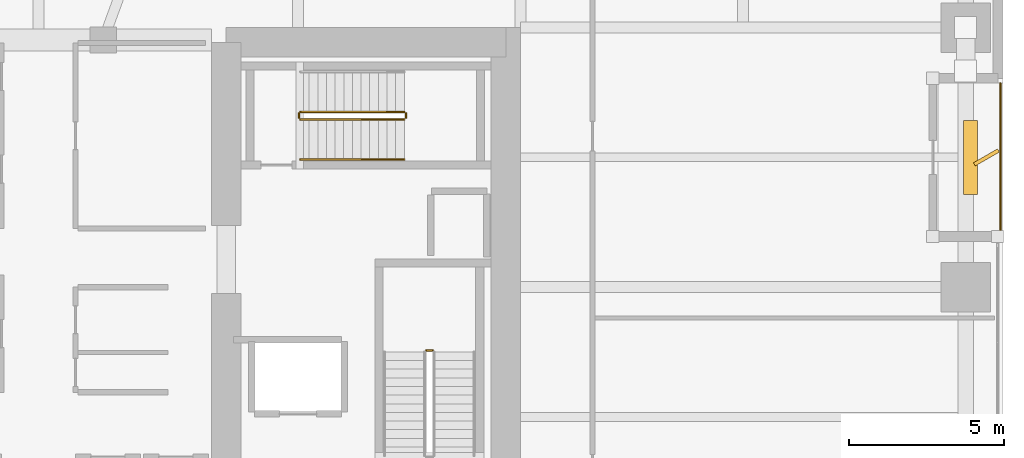
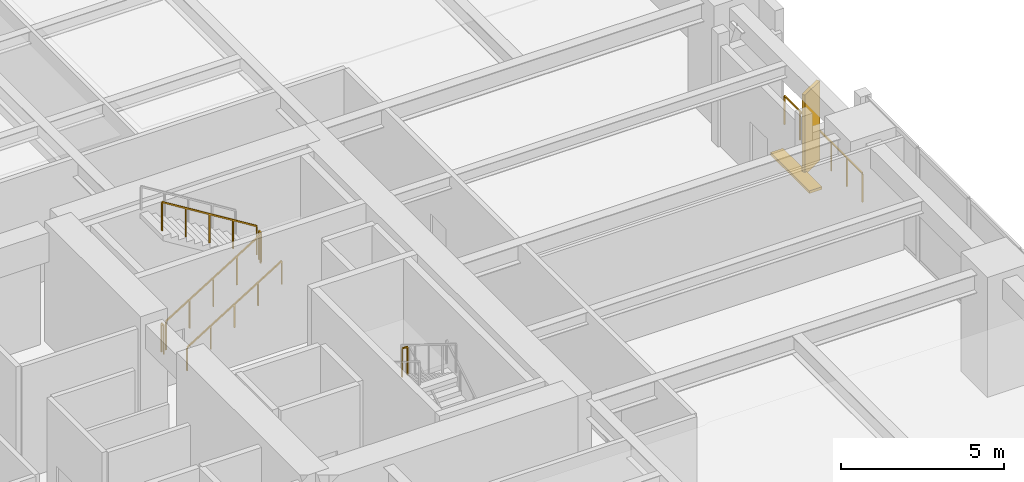
# One storey, part 24 of 25: 7 railings, 2 shading devices.
"""IFC4 building model written with IfcOpenShell, lengths in metres."""

from ifc_helpers import new_model, si_unit, direction, frame, origin, origin_2d, place, context, subcontext, project, spatial, rectangle, extrude, material, type_object, element, save


model = new_model("IFC4")

# Units and contexts
model_context = context("Model", 3, precision=1e-05, world=origin(), true_north=direction((0.0, 1.0)))
body_context = subcontext(model_context, "Body", "Model", "MODEL_VIEW")
ifc_project = project(units=[si_unit("LENGTHUNIT", "METRE"), si_unit("AREAUNIT", "SQUARE_METRE"), si_unit("VOLUMEUNIT", "CUBIC_METRE"), si_unit("PLANEANGLEUNIT", "RADIAN"), si_unit("MASSUNIT", "GRAM", prefix="KILO")], contexts=[model_context])

# Site, building, storey
site_placement = place(None, origin())
site = spatial("IfcSite", under=ifc_project, at=site_placement, CompositionType="ELEMENT")
building_placement = place(site_placement, origin())
building = spatial("IfcBuilding", under=site, at=building_placement, Name="Kiyonajd Concourse Tower", CompositionType="ELEMENT")
storey_placement = place(building_placement, frame((0.0, 0.0, 68.39990234375)))
storey = spatial("IfcBuildingStorey", under=building, at=storey_placement, Name="L18", CompositionType="ELEMENT", Elevation=68.39990234375)

# Railings
ifc_material_1 = material(Name="Thermally Broken Anodised Aluminium", Category="aluminium")
railing_type_1 = type_object("IfcRailingType", Name="RL-GRD-LOG", PredefinedType="GUARDRAIL", material=ifc_material_1)
railing_1_placement = place(storey_placement, frame((79.1201171875, 37.800048828125, 0.0)))
element("IfcRailing", 1, at=railing_1_placement, inside=storey, type_object=railing_type_1, Name="L18 Engawa Loggia Perimeter Guard LOG-E", PredefinedType="GUARDRAIL", context=body_context, shape_type="SweptSolid", body=[
    extrude(rectangle(XDim=0.048095703125, YDim=0.048095703125, at=origin_2d()), frame((0.0, 0.0, 1.076171875), z_axis=(0.0, 1.0, 0.0), x_axis=(-1.0, 0.0, 0.0)), (0.0, 0.0, 1.0), 4.800048828125),
    extrude(rectangle(XDim=0.0419921875, YDim=0.0419921875, at=origin_2d()), origin(), (0.0, 0.0, 1.0), 1.052001953125),
    extrude(rectangle(XDim=0.0419921875, YDim=0.0419921875, at=origin_2d()), frame((0.0, 0.9599609375, 0.0)), (0.0, 0.0, 1.0), 1.052001953125),
    extrude(rectangle(XDim=0.0419921875, YDim=0.0419921875, at=origin_2d()), frame((0.0, 1.919921875, 0.0)), (0.0, 0.0, 1.0), 1.052001953125),
    extrude(rectangle(XDim=0.0419921875, YDim=0.0419921875, at=origin_2d()), frame((0.0, 2.880126953125, 0.0)), (0.0, 0.0, 1.0), 1.052001953125),
    extrude(rectangle(XDim=0.0419921875, YDim=0.0419921875, at=origin_2d()), frame((0.0, 3.840087890625, 0.0)), (0.0, 0.0, 1.0), 1.052001953125),
    extrude(rectangle(XDim=0.0419921875, YDim=0.0419921875, at=origin_2d()), frame((0.0, 4.800048828125, 0.0)), (0.0, 0.0, 1.0), 1.052001953125),
])
ifc_material_2 = material(Name="Steel ASTM A500 Grade C", Category="steel")
railing_type_2 = type_object("IfcRailingType", Name="RL-GRD-STR", PredefinedType="GUARDRAIL", material=ifc_material_2)
railing_2_placement = place(storey_placement, frame((60.75, 33.9599609375, 2.25)))
element("IfcRailing", 2, at=railing_2_placement, inside=storey, type_object=railing_type_2, Name="L18 ST2 stair guard 2", PredefinedType="GUARDRAIL", context=body_context, shape_type="SweptSolid", body=[
    extrude(rectangle(XDim=0.048095703125, YDim=0.048095703125, at=origin_2d()), frame((0.0, 0.0, 1.076171875), z_axis=(-1.0, 0.0, 0.0), x_axis=(0.0, -1.0, 0.0)), (0.0, 0.0, 1.0), 0.199951171875),
    extrude(rectangle(XDim=0.0419921875, YDim=0.0419921875, at=origin_2d()), origin(), (0.0, 0.0, 1.0), 1.052001953125),
    extrude(rectangle(XDim=0.0419921875, YDim=0.0419921875, at=origin_2d()), frame((-0.199951171875, 0.0, 0.0)), (0.0, 0.0, 1.0), 1.052001953125),
])
railing_3_placement = place(storey_placement, frame((56.47998046875, 41.429931640625, 0.173095703125)))
element("IfcRailing", 3, at=railing_3_placement, inside=storey, type_object=railing_type_2, Name="L18 ST3 stair guard 1", PredefinedType="GUARDRAIL", context=body_context, shape_type="SweptSolid", body=[
    extrude(rectangle(XDim=0.048095703125, YDim=0.048095703125, at=origin_2d()), frame((0.0, 0.0, 1.076171875), z_axis=(0.850623216509, 0.0, 0.525775754039), x_axis=(0.0, 1.0, 0.0)), (0.0, 0.0, 1.0), 3.9501953125),
    extrude(rectangle(XDim=0.0419921875, YDim=0.0419921875, at=origin_2d()), origin(), (0.0, 0.0, 1.0), 1.052001953125),
    extrude(rectangle(XDim=0.0419921875, YDim=0.0419921875, at=origin_2d()), frame((0.840087890625, 0.0, 0.519287109375)), (0.0, 0.0, 1.0), 1.052001953125),
    extrude(rectangle(XDim=0.0419921875, YDim=0.0419921875, at=origin_2d()), frame((1.68017578125, 0.0, 1.03857421875)), (0.0, 0.0, 1.0), 1.052001953125),
    extrude(rectangle(XDim=0.0419921875, YDim=0.0419921875, at=origin_2d()), frame((2.52001953125, 0.0, 1.5576171875)), (0.0, 0.0, 1.0), 1.052001953125),
    extrude(rectangle(XDim=0.0419921875, YDim=0.0419921875, at=origin_2d()), frame((3.360107421875, 0.0, 2.076904296875)), (0.0, 0.0, 1.0), 1.052001953125),
])
railing_4_placement = place(storey_placement, frame((59.889892578125, 41.47998046875, 2.25)))
element("IfcRailing", 4, at=railing_4_placement, inside=storey, type_object=railing_type_2, Name="L18 ST3 stair guard 2", PredefinedType="GUARDRAIL", context=body_context, shape_type="SweptSolid", body=[
    extrude(rectangle(XDim=0.048095703125, YDim=0.048095703125, at=origin_2d()), frame((0.0, 0.0, 1.076171875), z_axis=(0.0, 1.0, 0.0), x_axis=(-1.0, 0.0, 0.0)), (0.0, 0.0, 1.0), 0.14013671875),
    extrude(rectangle(XDim=0.0419921875, YDim=0.0419921875, at=origin_2d()), origin(), (0.0, 0.0, 1.0), 1.052001953125),
    extrude(rectangle(XDim=0.0419921875, YDim=0.0419921875, at=origin_2d()), frame((0.0, 0.14013671875, 0.0)), (0.0, 0.0, 1.0), 1.052001953125),
])
railing_5_placement = place(storey_placement, frame((59.840087890625, 41.669921875, 2.423095703125)))
element("IfcRailing", 5, at=railing_5_placement, inside=storey, type_object=railing_type_2, Name="L18 ST3 stair guard 3", PredefinedType="GUARDRAIL", context=body_context, shape_type="SweptSolid", body=[
    extrude(rectangle(XDim=0.048095703125, YDim=0.048095703125, at=origin_2d()), frame((0.0, 0.0, 1.076171875), z_axis=(-0.850623216509, 0.0, 0.525775754039), x_axis=(0.0, -1.0, 0.0)), (0.0, 0.0, 1.0), 3.9501953125),
    extrude(rectangle(XDim=0.0419921875, YDim=0.0419921875, at=origin_2d()), origin(), (0.0, 0.0, 1.0), 1.052001953125),
    extrude(rectangle(XDim=0.0419921875, YDim=0.0419921875, at=origin_2d()), frame((-0.840087890625, 0.0, 0.519287109375)), (0.0, 0.0, 1.0), 1.052001953125),
    extrude(rectangle(XDim=0.0419921875, YDim=0.0419921875, at=origin_2d()), frame((-1.68017578125, 0.0, 1.03857421875)), (0.0, 0.0, 1.0), 1.052001953125),
    extrude(rectangle(XDim=0.0419921875, YDim=0.0419921875, at=origin_2d()), frame((-2.52001953125, 0.0, 1.5576171875)), (0.0, 0.0, 1.0), 1.052001953125),
    extrude(rectangle(XDim=0.0419921875, YDim=0.0419921875, at=origin_2d()), frame((-3.360107421875, 0.0, 2.076904296875)), (0.0, 0.0, 1.0), 1.052001953125),
])
railing_6_placement = place(storey_placement, frame((56.429931640625, 41.47998046875, 0.0)))
element("IfcRailing", 6, at=railing_6_placement, inside=storey, type_object=railing_type_2, Name="L18 ST3 stair guard 4", PredefinedType="GUARDRAIL", context=body_context, shape_type="SweptSolid", body=[
    extrude(rectangle(XDim=0.048095703125, YDim=0.048095703125, at=origin_2d()), frame((0.0, 0.0, 1.076171875), z_axis=(0.0, 1.0, 0.0), x_axis=(-1.0, 0.0, 0.0)), (0.0, 0.0, 1.0), 0.14013671875),
    extrude(rectangle(XDim=0.0419921875, YDim=0.0419921875, at=origin_2d()), origin(), (0.0, 0.0, 1.0), 1.052001953125),
    extrude(rectangle(XDim=0.0419921875, YDim=0.0419921875, at=origin_2d()), frame((0.0, 0.14013671875, 0.0)), (0.0, 0.0, 1.0), 1.052001953125),
])
ifc_material_3 = material(Name="Brushed Stainless Steel Cab Assembly", Category="steel")
railing_type_3 = type_object("IfcRailingType", Name="RL-HND-900", PredefinedType="HANDRAIL", material=ifc_material_3)
railing_7_placement = place(storey_placement, frame((56.47998046875, 40.1298828125, 0.173095703125)))
element("IfcRailing", 7, at=railing_7_placement, inside=storey, type_object=railing_type_3, Name="L18 ST3 stair handrail 1", PredefinedType="HANDRAIL", context=body_context, shape_type="SweptSolid", body=[
    extrude(rectangle(XDim=0.048095703125, YDim=0.048095703125, at=origin_2d()), frame((0.0, 0.0, 0.8759765625), z_axis=(0.850623216509, 0.0, 0.525775754039), x_axis=(0.0, 1.0, 0.0)), (0.0, 0.0, 1.0), 3.9501953125),
    extrude(rectangle(XDim=0.0419921875, YDim=0.0419921875, at=origin_2d()), origin(), (0.0, 0.0, 1.0), 0.851806640625),
    extrude(rectangle(XDim=0.0419921875, YDim=0.0419921875, at=origin_2d()), frame((0.840087890625, 0.0, 0.519287109375)), (0.0, 0.0, 1.0), 0.851806640625),
    extrude(rectangle(XDim=0.0419921875, YDim=0.0419921875, at=origin_2d()), frame((1.68017578125, 0.0, 1.03857421875)), (0.0, 0.0, 1.0), 0.851806640625),
    extrude(rectangle(XDim=0.0419921875, YDim=0.0419921875, at=origin_2d()), frame((2.52001953125, 0.0, 1.5576171875)), (0.0, 0.0, 1.0), 0.851806640625),
    extrude(rectangle(XDim=0.0419921875, YDim=0.0419921875, at=origin_2d()), frame((3.360107421875, 0.0, 2.076904296875)), (0.0, 0.0, 1.0), 0.851806640625),
])

# Shading devices
ifc_material_4 = material(Name="Precast concrete C50/60", Category="concrete")
shading_device_type_1 = type_object("IfcShadingDeviceType", Name="SH-FIN-900", PredefinedType="USERDEFINED", material=ifc_material_4)
shading_device_1_placement = place(storey_placement, frame((78.669921875, 40.199951171875, 0.0), z_axis=(0.0, 0.0, 1.0), x_axis=(0.866025403784, 0.5, 0.0)))
element("IfcShadingDevice", 8, at=shading_device_1_placement, inside=storey, type_object=shading_device_type_1, Name="L18 Angled Koshi Solar Fin LOG-E", ObjectType="FIN", PredefinedType="USERDEFINED", context=body_context, shape_type="SweptSolid", body=[
    extrude(rectangle(XDim=0.89990234375, YDim=0.1201171875, at=origin_2d()), origin(), (0.0, 0.0, 1.0), 3.0),
])
shading_device_type_2 = type_object("IfcShadingDeviceType", Name="SH-LVR-600", PredefinedType="JALOUSIE", material=ifc_material_1)
shading_device_2_placement = place(storey_placement, frame((78.14990234375, 40.199951171875, 0.0), z_axis=(0.0, 0.0, 1.0), x_axis=(0.0, 1.0, 0.0)))
element("IfcShadingDevice", 9, at=shading_device_2_placement, inside=storey, type_object=shading_device_type_2, Name="L18 Loggia Threshold Louver LOG-E", PredefinedType="JALOUSIE", context=body_context, shape_type="SweptSolid", body=[
    extrude(rectangle(XDim=2.39990234375, YDim=0.449951171875, at=origin_2d()), origin(), (0.0, 0.0, 1.0), 0.10009765625),
])

save(model, "model.ifc")
